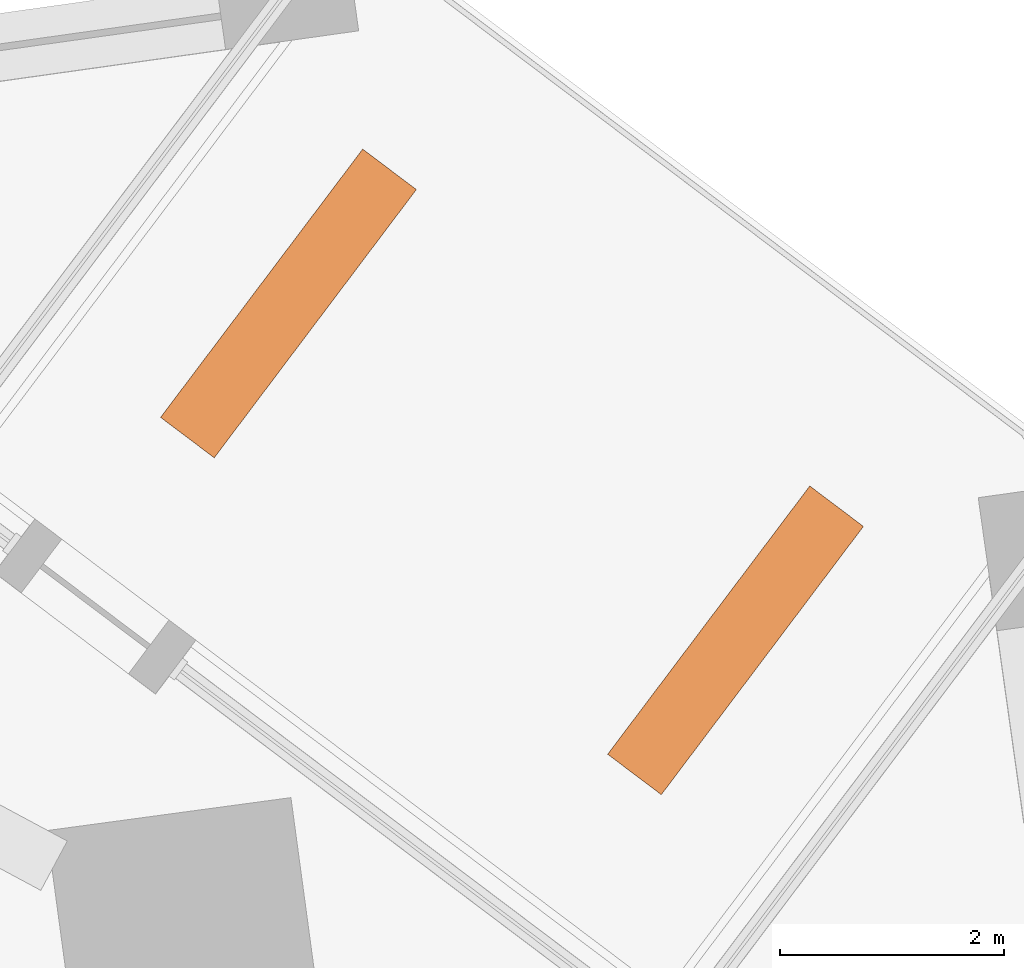
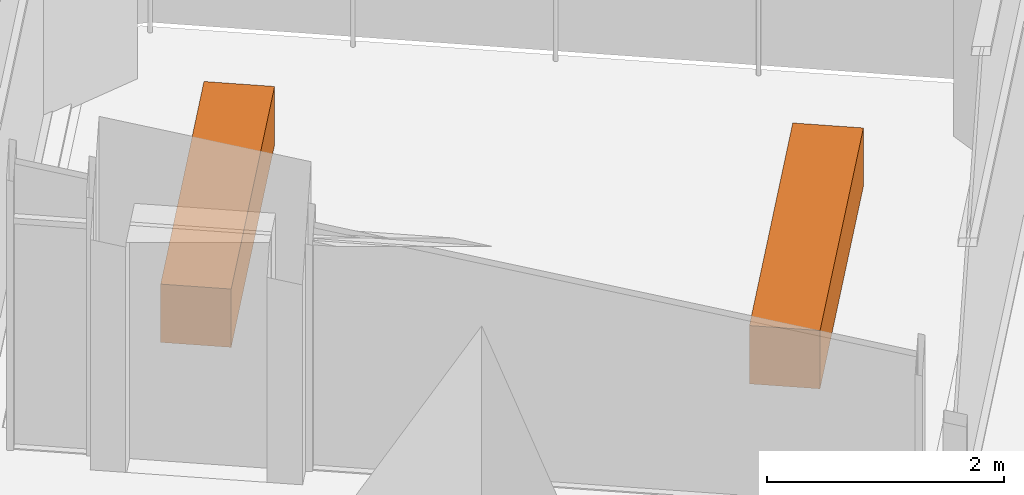
# One storey, part 12 of 12: 2 proxies.
"""IFC4 building model written with IfcOpenShell, lengths in metres."""

from ifc_helpers import new_model, si_unit, direction, frame, origin, origin_2d, place, context, subcontext, project, spatial, rectangle, extrude, element, save


model = new_model("IFC4")

# Units and contexts
model_context = context("Model", 3, precision=1e-05, world=origin(), true_north=direction((0.0, 1.0)))
body_context = subcontext(model_context, "Body", "Model", "MODEL_VIEW")
ifc_project = project(units=[si_unit("LENGTHUNIT", "METRE"), si_unit("AREAUNIT", "SQUARE_METRE"), si_unit("VOLUMEUNIT", "CUBIC_METRE"), si_unit("PLANEANGLEUNIT", "RADIAN"), si_unit("MASSUNIT", "GRAM", prefix="KILO")], contexts=[model_context])

# Site, building, storey
site_placement = place(None, origin())
site = spatial("IfcSite", under=ifc_project, at=site_placement, CompositionType="ELEMENT")
building_placement = place(site_placement, origin())
building = spatial("IfcBuilding", under=site, at=building_placement, Name="Dilmun Exchange Tower", CompositionType="ELEMENT")
storey_placement = place(building_placement, frame((0.0, 0.0, 51.300048828125)))
storey = spatial("IfcBuildingStorey", under=building, at=storey_placement, Name="L11", CompositionType="ELEMENT", Elevation=51.300048828125)

# Proxies
for number, where, z_axis, x_axis, name in (
    (1, (23.5361328125, 27.079345703125, 0.0), (0.0, 0.0, 1.0), (0.601815023152, 0.798635510047, 0.0), "PLANTER Ghaf tree L11.1"),
    (2, (19.54296875, 30.08837890625, 0.0), (0.0, 0.0, 1.0), (0.601815023152, 0.798635510047, 0.0), "PLANTER Ghaf tree L11.2"),
):
    element("IfcBuildingElementProxy", number, at=place(storey_placement, frame(where, z_axis=z_axis, x_axis=x_axis)), inside=storey, Name=name, ObjectType="PLANTER", PredefinedType="USERDEFINED", context=body_context, shape_type="SweptSolid", body=[
        extrude(rectangle(XDim=3.0, YDim=0.60009765625, at=origin_2d()), origin(), (0.0, 0.0, 1.0), 0.60009765625),
    ])

save(model, "model.ifc")
